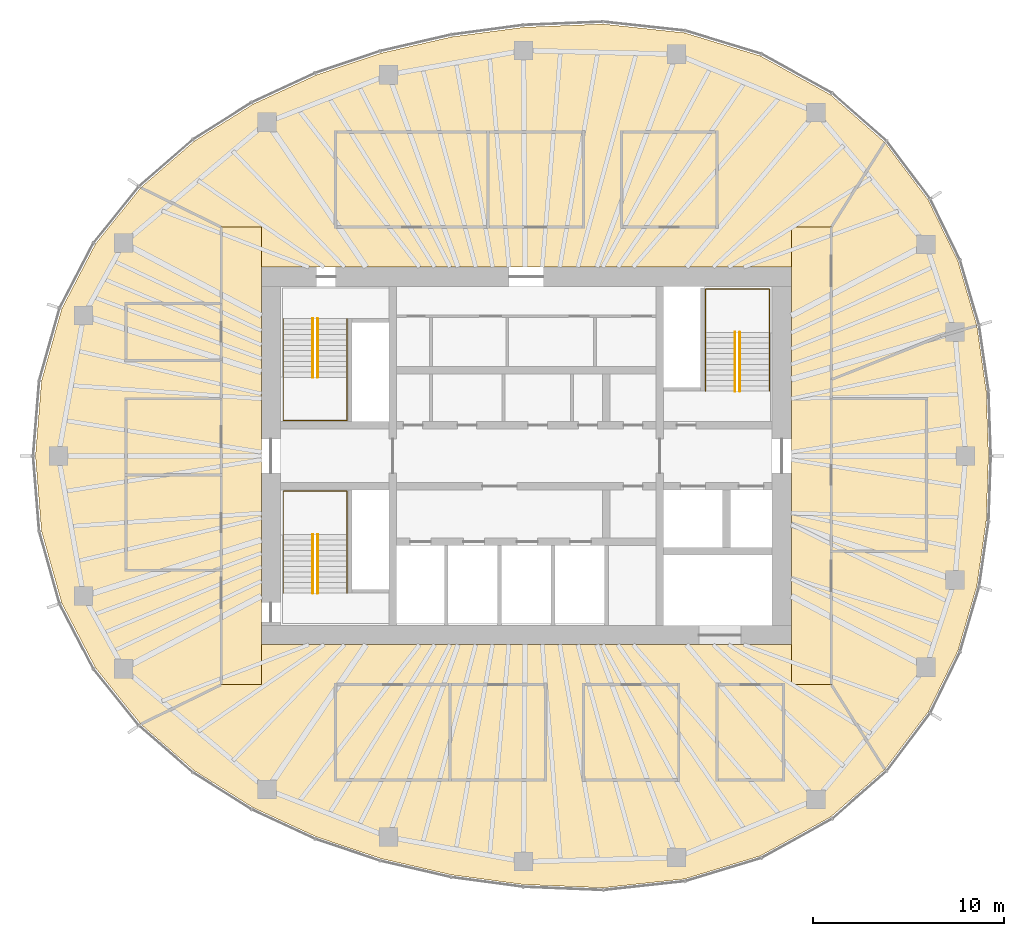
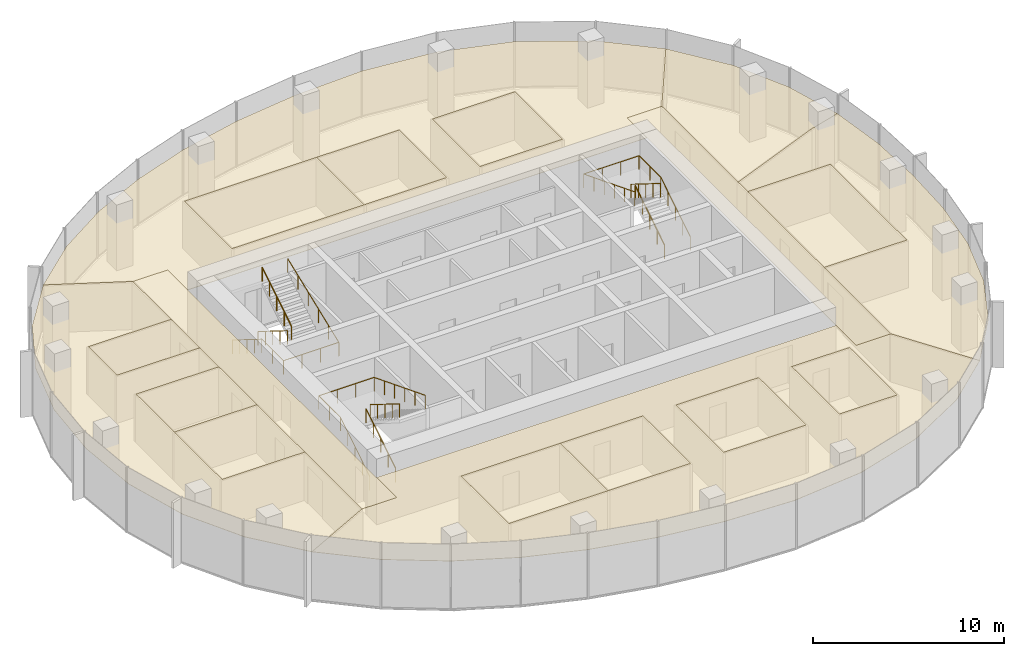
# One storey, part 11 of 11: 18 coverings, 9 railings.
"""IFC4 building model written with IfcOpenShell, lengths in metres."""

from ifc_helpers import new_model, si_unit, direction, frame, origin, origin_2d, place, context, subcontext, project, spatial, polyline, circle, outline, extrude, material, layer, layer_set, type_object, element, save


model = new_model("IFC4")

# Units and contexts
model_context = context("Model", 3, precision=1e-05, world=origin(), true_north=direction((0.0, 1.0)))
body_context = subcontext(model_context, "Body", "Model", "MODEL_VIEW")
ifc_project = project(units=[si_unit("LENGTHUNIT", "METRE"), si_unit("AREAUNIT", "SQUARE_METRE"), si_unit("VOLUMEUNIT", "CUBIC_METRE"), si_unit("PLANEANGLEUNIT", "RADIAN"), si_unit("MASSUNIT", "GRAM", prefix="KILO")], contexts=[model_context])

# Site, building, storey
site_placement = place(None, origin())
site = spatial("IfcSite", under=ifc_project, at=site_placement, CompositionType="ELEMENT")
building_placement = place(site_placement, origin())
building = spatial("IfcBuilding", under=site, at=building_placement, Name="Ghaith Harvest Tower", CompositionType="ELEMENT")
storey_placement = place(building_placement, frame((0.0, 0.0, 325.800048828125)))
storey = spatial("IfcBuildingStorey", under=building, at=storey_placement, Name="L73", CompositionType="ELEMENT", Elevation=325.800048828125)

# Coverings
ifc_material_1 = material(Name="Mineral fibre ceiling tile", Category="gypsum")
ifc_layer = layer(ifc_material_1, 0.02490234375)
ifc_layer_set = layer_set([ifc_layer], Name="CEILING C2")
covering_type = type_object("IfcCoveringType", Name="CEILING C2", PredefinedType="CEILING", material=ifc_layer_set)
covering_1_placement = place(storey_placement, frame((0.0, 0.0, 3.0)))
element("IfcCovering", 1, at=covering_1_placement, inside=storey, type_object=covering_type, Name="Ceiling L73-01", PredefinedType="CEILING", context=body_context, shape_type="SweptSolid", body=[
    extrude(outline(polyline([(-10.0, 12.0), (-2.0, 12.0), (-2.0, 17.0), (-10.0, 17.0), (-10.0, 12.0)])), origin(), (0.0, 0.0, 1.0), 0.02490234375),
])
covering_2_placement = place(storey_placement, frame((0.0, 0.0, 3.0)))
element("IfcCovering", 2, at=covering_2_placement, inside=storey, type_object=covering_type, Name="Ceiling L73-02", PredefinedType="CEILING", context=body_context, shape_type="SweptSolid", body=[
    extrude(outline(polyline([(-2.0, 12.0), (3.0, 12.0), (3.0, 17.0), (-2.0, 17.0), (-2.0, 12.0)])), origin(), (0.0, 0.0, 1.0), 0.02490234375),
])
covering_3_placement = place(storey_placement, frame((0.0, 0.0, 3.0)))
element("IfcCovering", 3, at=covering_3_placement, inside=storey, type_object=covering_type, Name="Ceiling L73-03", PredefinedType="CEILING", context=body_context, shape_type="SweptSolid", body=[
    extrude(outline(polyline([(5.0, 12.0), (10.0, 12.0), (10.0, 17.0), (5.0, 17.0), (5.0, 12.0)])), origin(), (0.0, 0.0, 1.0), 0.02490234375),
])
covering_4_placement = place(storey_placement, frame((0.0, 0.0, 3.0)))
element("IfcCovering", 4, at=covering_4_placement, inside=storey, type_object=covering_type, Name="Ceiling L73-04", PredefinedType="CEILING", context=body_context, shape_type="SweptSolid", body=[
    extrude(outline(polyline([(-10.0, -17.0), (-4.0, -17.0), (-4.0, -12.0), (-10.0, -12.0), (-10.0, -17.0)])), origin(), (0.0, 0.0, 1.0), 0.02490234375),
])
covering_5_placement = place(storey_placement, frame((0.0, 0.0, 3.0)))
element("IfcCovering", 5, at=covering_5_placement, inside=storey, type_object=covering_type, Name="Ceiling L73-05", PredefinedType="CEILING", context=body_context, shape_type="SweptSolid", body=[
    extrude(outline(polyline([(-4.0, -17.0), (1.0, -17.0), (1.0, -12.0), (-4.0, -12.0), (-4.0, -17.0)])), origin(), (0.0, 0.0, 1.0), 0.02490234375),
])
covering_6_placement = place(storey_placement, frame((0.0, 0.0, 3.0)))
element("IfcCovering", 6, at=covering_6_placement, inside=storey, type_object=covering_type, Name="Ceiling L73-06", PredefinedType="CEILING", context=body_context, shape_type="SweptSolid", body=[
    extrude(outline(polyline([(3.0, -17.0), (8.0, -17.0), (8.0, -12.0), (3.0, -12.0), (3.0, -17.0)])), origin(), (0.0, 0.0, 1.0), 0.02490234375),
])
covering_7_placement = place(storey_placement, frame((0.0, 0.0, 3.0)))
element("IfcCovering", 7, at=covering_7_placement, inside=storey, type_object=covering_type, Name="Ceiling L73-07", PredefinedType="CEILING", context=body_context, shape_type="SweptSolid", body=[
    extrude(outline(polyline([(-21.0, -6.0), (-16.0, -6.0), (-16.0, -1.0), (-21.0, -1.0), (-21.0, -6.0)])), origin(), (0.0, 0.0, 1.0), 0.02490234375),
])
covering_8_placement = place(storey_placement, frame((0.0, 0.0, 3.0)))
element("IfcCovering", 8, at=covering_8_placement, inside=storey, type_object=covering_type, Name="Ceiling L73-08", PredefinedType="CEILING", context=body_context, shape_type="SweptSolid", body=[
    extrude(outline(polyline([(-21.0, -1.0), (-16.0, -1.0), (-16.0, 3.0), (-21.0, 3.0), (-21.0, -1.0)])), origin(), (0.0, 0.0, 1.0), 0.02490234375),
])
covering_9_placement = place(storey_placement, frame((0.0, 0.0, 3.0)))
element("IfcCovering", 9, at=covering_9_placement, inside=storey, type_object=covering_type, Name="Ceiling L73-09", PredefinedType="CEILING", context=body_context, shape_type="SweptSolid", body=[
    extrude(outline(polyline([(16.0, -5.0), (21.0, -5.0), (21.0, 3.0), (16.0, 3.0), (16.0, -5.0)])), origin(), (0.0, 0.0, 1.0), 0.02490234375),
])
covering_10_placement = place(storey_placement, frame((0.0, 0.0, 3.0)))
element("IfcCovering", 10, at=covering_10_placement, inside=storey, type_object=covering_type, Name="Ceiling L73-10", PredefinedType="CEILING", context=body_context, shape_type="SweptSolid", body=[
    extrude(outline(polyline([(10.0, -17.0), (13.5, -17.0), (13.5, -12.0), (10.0, -12.0), (10.0, -17.0)])), origin(), (0.0, 0.0, 1.0), 0.02490234375),
])
covering_11_placement = place(storey_placement, frame((0.0, 0.0, 3.0)))
element("IfcCovering", 11, at=covering_11_placement, inside=storey, type_object=covering_type, Name="Ceiling L73-11", PredefinedType="CEILING", context=body_context, shape_type="SweptSolid", body=[
    extrude(outline(polyline([(-21.0, 5.0), (-16.0, 5.0), (-16.0, 8.0), (-21.0, 8.0), (-21.0, 5.0)])), origin(), (0.0, 0.0, 1.0), 0.02490234375),
])
covering_12_placement = place(storey_placement, frame((0.0, 0.0, 3.0)))
element("IfcCovering", 12, at=covering_12_placement, inside=storey, type_object=covering_type, Name="Ceiling L73-C1", PredefinedType="CEILING", context=body_context, shape_type="SweptSolid", body=[
    extrude(outline(polyline([(13.89990234375, -12.0), (13.89990234375, 12.0), (16.0, 12.0), (16.0, -12.0), (13.89990234375, -12.0)])), origin(), (0.0, 0.0, 1.0), 0.02490234375),
])
covering_13_placement = place(storey_placement, frame((0.0, 0.0, 3.0)))
element("IfcCovering", 13, at=covering_13_placement, inside=storey, type_object=covering_type, Name="Ceiling L73-C2", PredefinedType="CEILING", context=body_context, shape_type="SweptSolid", body=[
    extrude(outline(polyline([(-13.89990234375, 12.0), (-13.89990234375, -12.0), (-16.0, -12.0), (-16.0, 12.0), (-13.89990234375, 12.0)])), origin(), (0.0, 0.0, 1.0), 0.02490234375),
])
covering_14_placement = place(storey_placement, frame((0.0, 0.0, 3.0)))
element("IfcCovering", 14, at=covering_14_placement, inside=storey, type_object=covering_type, Name="Ceiling L73-N1", PredefinedType="CEILING", context=body_context, shape_type="SweptSolid", body=[
    extrude(outline(polyline([(-17.40771484375, 16.518310546875), (-14.331298828125, 18.452880859375), (-11.009521484375, 19.98779296875), (-7.6298828125, 21.12548828125), (-3.92529296875, 21.98046875), (-0.15380859375, 22.486083984375), (4.016845703125, 22.658447265625), (8.2978515625, 22.1962890625), (12.273681640625, 20.98828125), (15.971923828125, 18.940185546875), (18.810791015625, 16.4482421875), (16.0, 12.0), (13.89990234375, 12.0), (13.89990234375, 9.89990234375), (-13.89990234375, 9.89990234375), (-13.89990234375, 12.0), (-16.0, 12.0), (-20.225830078125, 14.0732421875), (-17.40771484375, 16.518310546875)]), holes=[polyline([(3.0, 17.0), (-10.0, 17.0), (-10.0, 12.0), (3.0, 12.0), (3.0, 17.0)]), polyline([(5.0, 17.0), (5.0, 12.0), (10.0, 12.0), (10.0, 17.0), (5.0, 17.0)])]), origin(), (0.0, 0.0, 1.0), 0.02490234375),
])
covering_15_placement = place(storey_placement, frame((0.0, 0.0, 3.0)))
element("IfcCovering", 15, at=covering_15_placement, inside=storey, type_object=covering_type, Name="Ceiling L73-E1", PredefinedType="CEILING", context=body_context, shape_type="SweptSolid", body=[
    extrude(outline(polyline([(21.087890625, 13.42041015625), (22.644775390625, 10.222900390625), (23.6376953125, 6.831787109375), (21.71630859375, 6.276611328125), (16.0, 4.0), (16.0, 12.0), (18.810791015625, 16.4482421875), (21.087890625, 13.42041015625)])), origin(), (0.0, 0.0, 1.0), 0.02490234375),
])
covering_16_placement = place(storey_placement, frame((0.0, 0.0, 3.0)))
element("IfcCovering", 16, at=covering_16_placement, inside=storey, type_object=covering_type, Name="Ceiling L73-E2", PredefinedType="CEILING", context=body_context, shape_type="SweptSolid", body=[
    extrude(outline(polyline([(23.6376953125, 6.831787109375), (23.6376953125, 6.831787109375), (24.129150390625, 3.4169921875), (24.25, 0.0), (24.129150390625, -3.4169921875), (23.6376953125, -6.831787109375), (22.644775390625, -10.222900390625), (21.087890625, -13.42041015625), (18.810791015625, -16.4482421875), (16.0, -12.0), (16.0, -5.0), (21.0, -5.0), (21.0, 3.0), (16.0, 3.0), (16.0, 4.0), (21.71630859375, 6.276611328125), (23.6376953125, 6.831787109375)])), origin(), (0.0, 0.0, 1.0), 0.02490234375),
])
covering_17_placement = place(storey_placement, frame((0.0, 0.0, 3.0)))
element("IfcCovering", 17, at=covering_17_placement, inside=storey, type_object=covering_type, Name="Ceiling L73-S1", PredefinedType="CEILING", context=body_context, shape_type="SweptSolid", body=[
    extrude(outline(polyline([(-14.331298828125, -18.452880859375), (-17.40771484375, -16.518310546875), (-20.225830078125, -14.0732421875), (-16.0, -12.0), (-13.89990234375, -12.0), (-13.89990234375, -9.89990234375), (13.89990234375, -9.89990234375), (13.89990234375, -12.0), (16.0, -12.0), (18.810791015625, -16.4482421875), (15.971923828125, -18.940185546875), (12.273681640625, -20.98828125), (8.2978515625, -22.1962890625), (4.016845703125, -22.658447265625), (-0.15380859375, -22.486083984375), (-3.92529296875, -21.98046875), (-7.6298828125, -21.12548828125), (-11.009521484375, -19.98779296875), (-14.331298828125, -18.452880859375)]), holes=[polyline([(-10.0, -17.0), (1.0, -17.0), (1.0, -12.0), (-10.0, -12.0), (-10.0, -17.0)]), polyline([(3.0, -17.0), (8.0, -17.0), (8.0, -12.0), (3.0, -12.0), (3.0, -17.0)]), polyline([(10.0, -17.0), (13.5, -17.0), (13.5, -12.0), (10.0, -12.0), (10.0, -17.0)])]), origin(), (0.0, 0.0, 1.0), 0.02490234375),
])
covering_18_placement = place(storey_placement, frame((0.0, 0.0, 3.0)))
element("IfcCovering", 18, at=covering_18_placement, inside=storey, type_object=covering_type, Name="Ceiling L73-W1", PredefinedType="CEILING", context=body_context, shape_type="SweptSolid", body=[
    extrude(outline(polyline([(-22.5986328125, -11.12353515625), (-24.368408203125, -7.722900390625), (-25.43310546875, -3.93359375), (-25.75, 0.0), (-25.43310546875, 3.93359375), (-24.368408203125, 7.722900390625), (-22.5986328125, 11.12353515625), (-20.225830078125, 14.0732421875), (-16.0, 12.0), (-16.0, 8.0), (-21.0, 8.0), (-21.0, 5.0), (-16.0, 5.0), (-16.0, 3.0), (-21.0, 3.0), (-21.0, -6.0), (-16.0, -6.0), (-16.0, -12.0), (-20.225830078125, -14.0732421875), (-22.5986328125, -11.12353515625)])), origin(), (0.0, 0.0, 1.0), 0.02490234375),
])

# Railings
ifc_material_2 = material(Name="Steel, black powder-coated", Category="steel")
railing_type = type_object("IfcRailingType", Name="HANDRAIL HR1", PredefinedType="HANDRAIL", material=ifc_material_2)
railing_1_placement = place(storey_placement, frame((-11.199951171875, 7.199951171875, 0.175048828125)))
element("IfcRailing", 19, at=railing_1_placement, inside=storey, type_object=railing_type, Name="Handrail HR1 stair ST1 L73 flight 1 inner", PredefinedType="HANDRAIL", context=body_context, shape_type="SweptSolid", body=[
    extrude(circle(Radius=0.02392578125, at=origin_2d()), frame((0.0, 0.0, 0.8759765625), z_axis=(0.0, -0.848009633417, 0.529980812513), x_axis=(1.0, 0.0, 0.0)), (0.0, 0.0, 1.0), 3.6318359375),
    extrude(circle(Radius=0.02099609375, at=origin_2d()), origin(), (0.0, 0.0, 1.0), 0.851806640625),
    extrude(circle(Radius=0.02099609375, at=origin_2d()), frame((0.0, -0.77001953125, 0.481201171875)), (0.0, 0.0, 1.0), 0.851806640625),
    extrude(circle(Radius=0.02099609375, at=origin_2d()), frame((0.0, -1.5400390625, 0.96240234375)), (0.0, 0.0, 1.0), 0.851806640625),
    extrude(circle(Radius=0.02099609375, at=origin_2d()), frame((0.0, -2.309814453125, 1.443603515625)), (0.0, 0.0, 1.0), 0.851806640625),
    extrude(circle(Radius=0.02099609375, at=origin_2d()), frame((0.0, -3.079833984375, 1.9248046875)), (0.0, 0.0, 1.0), 0.851806640625),
])
railing_2_placement = place(storey_placement, frame((-10.949951171875, 4.1201171875, 2.27490234375)))
element("IfcRailing", 20, at=railing_2_placement, inside=storey, type_object=railing_type, Name="Handrail HR1 stair ST1 L73 flight 2 inner", PredefinedType="HANDRAIL", context=body_context, shape_type="SweptSolid", body=[
    extrude(circle(Radius=0.02392578125, at=origin_2d()), frame((0.0, 0.0, 0.8759765625), z_axis=(0.0, 0.847979421464, 0.530029150871), x_axis=(-1.0, 0.0, 0.0)), (0.0, 0.0, 1.0), 3.632080078125),
    extrude(circle(Radius=0.02099609375, at=origin_2d()), origin(), (0.0, 0.0, 1.0), 0.851806640625),
    extrude(circle(Radius=0.02099609375, at=origin_2d()), frame((0.0, 0.77001953125, 0.481201171875)), (0.0, 0.0, 1.0), 0.851806640625),
    extrude(circle(Radius=0.02099609375, at=origin_2d()), frame((0.0, 1.5400390625, 0.96240234375)), (0.0, 0.0, 1.0), 0.851806640625),
    extrude(circle(Radius=0.02099609375, at=origin_2d()), frame((0.0, 2.309814453125, 1.44384765625)), (0.0, 0.0, 1.0), 0.851806640625),
    extrude(circle(Radius=0.02099609375, at=origin_2d()), frame((0.0, 3.079833984375, 1.925048828125)), (0.0, 0.0, 1.0), 0.851806640625),
])
railing_3_placement = place(storey_placement, frame((-12.75, 7.199951171875, 0.175048828125)))
element("IfcRailing", 21, at=railing_3_placement, inside=storey, type_object=railing_type, Name="Handrail HR1 stair ST1 L73 wall side", PredefinedType="HANDRAIL", context=body_context, shape_type="SweptSolid", body=[
    extrude(circle(Radius=0.02392578125, at=origin_2d()), frame((0.0, 0.0, 0.8759765625), z_axis=(0.0, -0.848009633417, 0.529980812513), x_axis=(1.0, 0.0, 0.0)), (0.0, 0.0, 1.0), 3.6318359375),
    extrude(circle(Radius=0.02392578125, at=origin_2d()), frame((0.0, -3.079833984375, 2.80078125), z_axis=(0.0, -1.0, 0.0), x_axis=(1.0, 0.0, 0.0)), (0.0, 0.0, 1.0), 2.27001953125),
    extrude(circle(Radius=0.02392578125, at=origin_2d()), frame((0.0, -5.349853515625, 2.80078125), z_axis=(1.0, 0.0, 0.0), x_axis=(0.0, 1.0, 0.0)), (0.0, 0.0, 1.0), 3.35009765625),
    extrude(circle(Radius=0.02392578125, at=origin_2d()), frame((3.35009765625, -5.349853515625, 2.80078125), z_axis=(0.0, 0.930848013298, 0.36540659017), x_axis=(-1.0, 0.0, 0.0)), (0.0, 0.0, 1.0), 5.747314453125),
    extrude(circle(Radius=0.02099609375, at=origin_2d()), origin(), (0.0, 0.0, 1.0), 0.851806640625),
    extrude(circle(Radius=0.02099609375, at=origin_2d()), frame((0.0, -0.77001953125, 0.481201171875)), (0.0, 0.0, 1.0), 0.851806640625),
    extrude(circle(Radius=0.02099609375, at=origin_2d()), frame((0.0, -1.5400390625, 0.96240234375)), (0.0, 0.0, 1.0), 0.851806640625),
    extrude(circle(Radius=0.02099609375, at=origin_2d()), frame((0.0, -2.309814453125, 1.443603515625)), (0.0, 0.0, 1.0), 0.851806640625),
    extrude(circle(Radius=0.02099609375, at=origin_2d()), frame((0.0, -3.079833984375, 1.9248046875)), (0.0, 0.0, 1.0), 0.851806640625),
    extrude(circle(Radius=0.02099609375, at=origin_2d()), frame((0.0, -4.21484375, 1.9248046875)), (0.0, 0.0, 1.0), 0.851806640625),
    extrude(circle(Radius=0.02099609375, at=origin_2d()), frame((0.0, -5.349853515625, 1.9248046875)), (0.0, 0.0, 1.0), 0.851806640625),
    extrude(circle(Radius=0.02099609375, at=origin_2d()), frame((1.11669921875, -5.349853515625, 1.9248046875)), (0.0, 0.0, 1.0), 0.851806640625),
    extrude(circle(Radius=0.02099609375, at=origin_2d()), frame((2.2333984375, -5.349853515625, 1.9248046875)), (0.0, 0.0, 1.0), 0.851806640625),
    extrude(circle(Radius=0.02099609375, at=origin_2d()), frame((3.35009765625, -5.349853515625, 1.9248046875)), (0.0, 0.0, 1.0), 0.851806640625),
    extrude(circle(Radius=0.02099609375, at=origin_2d()), frame((3.35009765625, -4.27978515625, 2.3447265625)), (0.0, 0.0, 1.0), 0.851806640625),
    extrude(circle(Radius=0.02099609375, at=origin_2d()), frame((3.35009765625, -3.2099609375, 2.764892578125)), (0.0, 0.0, 1.0), 0.851806640625),
    extrude(circle(Radius=0.02099609375, at=origin_2d()), frame((3.35009765625, -2.139892578125, 3.184814453125)), (0.0, 0.0, 1.0), 0.851806640625),
    extrude(circle(Radius=0.02099609375, at=origin_2d()), frame((3.35009765625, -1.070068359375, 3.60498046875)), (0.0, 0.0, 1.0), 0.851806640625),
    extrude(circle(Radius=0.02099609375, at=origin_2d()), frame((3.35009765625, 0.0, 4.02490234375)), (0.0, 0.0, 1.0), 0.851806640625),
])
railing_4_placement = place(storey_placement, frame((-11.199951171875, -7.199951171875, 0.175048828125)))
element("IfcRailing", 22, at=railing_4_placement, inside=storey, type_object=railing_type, Name="Handrail HR1 stair ST3 L73 flight 1 inner", PredefinedType="HANDRAIL", context=body_context, shape_type="SweptSolid", body=[
    extrude(circle(Radius=0.02392578125, at=origin_2d()), frame((0.0, 0.0, 0.8759765625), z_axis=(0.0, 0.848009633417, 0.529980812513), x_axis=(-1.0, 0.0, 0.0)), (0.0, 0.0, 1.0), 3.6318359375),
    extrude(circle(Radius=0.02099609375, at=origin_2d()), origin(), (0.0, 0.0, 1.0), 0.851806640625),
    extrude(circle(Radius=0.02099609375, at=origin_2d()), frame((0.0, 0.77001953125, 0.481201171875)), (0.0, 0.0, 1.0), 0.851806640625),
    extrude(circle(Radius=0.02099609375, at=origin_2d()), frame((0.0, 1.5400390625, 0.96240234375)), (0.0, 0.0, 1.0), 0.851806640625),
    extrude(circle(Radius=0.02099609375, at=origin_2d()), frame((0.0, 2.309814453125, 1.443603515625)), (0.0, 0.0, 1.0), 0.851806640625),
    extrude(circle(Radius=0.02099609375, at=origin_2d()), frame((0.0, 3.079833984375, 1.9248046875)), (0.0, 0.0, 1.0), 0.851806640625),
])
railing_5_placement = place(storey_placement, frame((-10.949951171875, -4.1201171875, 2.27490234375)))
element("IfcRailing", 23, at=railing_5_placement, inside=storey, type_object=railing_type, Name="Handrail HR1 stair ST3 L73 flight 2 inner", PredefinedType="HANDRAIL", context=body_context, shape_type="SweptSolid", body=[
    extrude(circle(Radius=0.02392578125, at=origin_2d()), frame((0.0, 0.0, 0.8759765625), z_axis=(0.0, -0.847979421464, 0.530029150871), x_axis=(1.0, 0.0, 0.0)), (0.0, 0.0, 1.0), 3.632080078125),
    extrude(circle(Radius=0.02099609375, at=origin_2d()), origin(), (0.0, 0.0, 1.0), 0.851806640625),
    extrude(circle(Radius=0.02099609375, at=origin_2d()), frame((0.0, -0.77001953125, 0.481201171875)), (0.0, 0.0, 1.0), 0.851806640625),
    extrude(circle(Radius=0.02099609375, at=origin_2d()), frame((0.0, -1.5400390625, 0.96240234375)), (0.0, 0.0, 1.0), 0.851806640625),
    extrude(circle(Radius=0.02099609375, at=origin_2d()), frame((0.0, -2.309814453125, 1.44384765625)), (0.0, 0.0, 1.0), 0.851806640625),
    extrude(circle(Radius=0.02099609375, at=origin_2d()), frame((0.0, -3.079833984375, 1.925048828125)), (0.0, 0.0, 1.0), 0.851806640625),
])
railing_6_placement = place(storey_placement, frame((-12.75, -7.199951171875, 0.175048828125)))
element("IfcRailing", 24, at=railing_6_placement, inside=storey, type_object=railing_type, Name="Handrail HR1 stair ST3 L73 wall side", PredefinedType="HANDRAIL", context=body_context, shape_type="SweptSolid", body=[
    extrude(circle(Radius=0.02392578125, at=origin_2d()), frame((0.0, 0.0, 0.8759765625), z_axis=(0.0, 0.848009633417, 0.529980812513), x_axis=(-1.0, 0.0, 0.0)), (0.0, 0.0, 1.0), 3.6318359375),
    extrude(circle(Radius=0.02392578125, at=origin_2d()), frame((0.0, 3.079833984375, 2.80078125), z_axis=(0.0, 1.0, 0.0), x_axis=(-1.0, 0.0, 0.0)), (0.0, 0.0, 1.0), 2.27001953125),
    extrude(circle(Radius=0.02392578125, at=origin_2d()), frame((0.0, 5.349853515625, 2.80078125), z_axis=(1.0, 0.0, 0.0), x_axis=(0.0, 1.0, 0.0)), (0.0, 0.0, 1.0), 3.35009765625),
    extrude(circle(Radius=0.02392578125, at=origin_2d()), frame((3.35009765625, 5.349853515625, 2.80078125), z_axis=(0.0, -0.930848013298, 0.36540659017), x_axis=(1.0, 0.0, 0.0)), (0.0, 0.0, 1.0), 5.747314453125),
    extrude(circle(Radius=0.02099609375, at=origin_2d()), origin(), (0.0, 0.0, 1.0), 0.851806640625),
    extrude(circle(Radius=0.02099609375, at=origin_2d()), frame((0.0, 0.77001953125, 0.481201171875)), (0.0, 0.0, 1.0), 0.851806640625),
    extrude(circle(Radius=0.02099609375, at=origin_2d()), frame((0.0, 1.5400390625, 0.96240234375)), (0.0, 0.0, 1.0), 0.851806640625),
    extrude(circle(Radius=0.02099609375, at=origin_2d()), frame((0.0, 2.309814453125, 1.443603515625)), (0.0, 0.0, 1.0), 0.851806640625),
    extrude(circle(Radius=0.02099609375, at=origin_2d()), frame((0.0, 3.079833984375, 1.9248046875)), (0.0, 0.0, 1.0), 0.851806640625),
    extrude(circle(Radius=0.02099609375, at=origin_2d()), frame((0.0, 4.21484375, 1.9248046875)), (0.0, 0.0, 1.0), 0.851806640625),
    extrude(circle(Radius=0.02099609375, at=origin_2d()), frame((0.0, 5.349853515625, 1.9248046875)), (0.0, 0.0, 1.0), 0.851806640625),
    extrude(circle(Radius=0.02099609375, at=origin_2d()), frame((1.11669921875, 5.349853515625, 1.9248046875)), (0.0, 0.0, 1.0), 0.851806640625),
    extrude(circle(Radius=0.02099609375, at=origin_2d()), frame((2.2333984375, 5.349853515625, 1.9248046875)), (0.0, 0.0, 1.0), 0.851806640625),
    extrude(circle(Radius=0.02099609375, at=origin_2d()), frame((3.35009765625, 5.349853515625, 1.9248046875)), (0.0, 0.0, 1.0), 0.851806640625),
    extrude(circle(Radius=0.02099609375, at=origin_2d()), frame((3.35009765625, 4.27978515625, 2.3447265625)), (0.0, 0.0, 1.0), 0.851806640625),
    extrude(circle(Radius=0.02099609375, at=origin_2d()), frame((3.35009765625, 3.2099609375, 2.764892578125)), (0.0, 0.0, 1.0), 0.851806640625),
    extrude(circle(Radius=0.02099609375, at=origin_2d()), frame((3.35009765625, 2.139892578125, 3.184814453125)), (0.0, 0.0, 1.0), 0.851806640625),
    extrude(circle(Radius=0.02099609375, at=origin_2d()), frame((3.35009765625, 1.070068359375, 3.60498046875)), (0.0, 0.0, 1.0), 0.851806640625),
    extrude(circle(Radius=0.02099609375, at=origin_2d()), frame((3.35009765625, 0.0, 4.02490234375)), (0.0, 0.0, 1.0), 0.851806640625),
])
railing_7_placement = place(storey_placement, frame((11.199951171875, 3.39990234375, 0.175048828125)))
element("IfcRailing", 25, at=railing_7_placement, inside=storey, type_object=railing_type, Name="Handrail HR1 stair ST2 L73 flight 1 inner", PredefinedType="HANDRAIL", context=body_context, shape_type="SweptSolid", body=[
    extrude(circle(Radius=0.02392578125, at=origin_2d()), frame((0.0, 0.0, 0.8759765625), z_axis=(0.0, 0.848028513186, 0.529950602248), x_axis=(-1.0, 0.0, 0.0)), (0.0, 0.0, 1.0), 3.632080078125),
    extrude(circle(Radius=0.02099609375, at=origin_2d()), origin(), (0.0, 0.0, 1.0), 0.851806640625),
    extrude(circle(Radius=0.02099609375, at=origin_2d()), frame((0.0, 0.77001953125, 0.481201171875)), (0.0, 0.0, 1.0), 0.851806640625),
    extrude(circle(Radius=0.02099609375, at=origin_2d()), frame((0.0, 1.5400390625, 0.96240234375)), (0.0, 0.0, 1.0), 0.851806640625),
    extrude(circle(Radius=0.02099609375, at=origin_2d()), frame((0.0, 2.31005859375, 1.443603515625)), (0.0, 0.0, 1.0), 0.851806640625),
    extrude(circle(Radius=0.02099609375, at=origin_2d()), frame((0.0, 3.080078125, 1.9248046875)), (0.0, 0.0, 1.0), 0.851806640625),
])
railing_8_placement = place(storey_placement, frame((10.949951171875, 6.47998046875, 2.27490234375)))
element("IfcRailing", 26, at=railing_8_placement, inside=storey, type_object=railing_type, Name="Handrail HR1 stair ST2 L73 flight 2 inner", PredefinedType="HANDRAIL", context=body_context, shape_type="SweptSolid", body=[
    extrude(circle(Radius=0.02392578125, at=origin_2d()), frame((0.0, 0.0, 0.8759765625), z_axis=(0.0, -0.847998304005, 0.529998940003), x_axis=(1.0, 0.0, 0.0)), (0.0, 0.0, 1.0), 3.632080078125),
    extrude(circle(Radius=0.02099609375, at=origin_2d()), origin(), (0.0, 0.0, 1.0), 0.851806640625),
    extrude(circle(Radius=0.02099609375, at=origin_2d()), frame((0.0, -0.77001953125, 0.481201171875)), (0.0, 0.0, 1.0), 0.851806640625),
    extrude(circle(Radius=0.02099609375, at=origin_2d()), frame((0.0, -1.5400390625, 0.96240234375)), (0.0, 0.0, 1.0), 0.851806640625),
    extrude(circle(Radius=0.02099609375, at=origin_2d()), frame((0.0, -2.31005859375, 1.44384765625)), (0.0, 0.0, 1.0), 0.851806640625),
    extrude(circle(Radius=0.02099609375, at=origin_2d()), frame((0.0, -3.080078125, 1.925048828125)), (0.0, 0.0, 1.0), 0.851806640625),
])
railing_9_placement = place(storey_placement, frame((12.75, 3.39990234375, 0.175048828125)))
element("IfcRailing", 27, at=railing_9_placement, inside=storey, type_object=railing_type, Name="Handrail HR1 stair ST2 L73 wall side", PredefinedType="HANDRAIL", context=body_context, shape_type="SweptSolid", body=[
    extrude(circle(Radius=0.02392578125, at=origin_2d()), frame((0.0, 0.0, 0.8759765625), z_axis=(0.0, 0.848028513186, 0.529950602248), x_axis=(-1.0, 0.0, 0.0)), (0.0, 0.0, 1.0), 3.632080078125),
    extrude(circle(Radius=0.02392578125, at=origin_2d()), frame((0.0, 3.080078125, 2.80078125), z_axis=(0.0, 1.0, 0.0), x_axis=(-1.0, 0.0, 0.0)), (0.0, 0.0, 1.0), 2.27001953125),
    extrude(circle(Radius=0.02392578125, at=origin_2d()), frame((0.0, 5.35009765625, 2.80078125), z_axis=(-1.0, 0.0, 0.0), x_axis=(0.0, -1.0, 0.0)), (0.0, 0.0, 1.0), 3.35009765625),
    extrude(circle(Radius=0.02392578125, at=origin_2d()), frame((-3.35009765625, 5.35009765625, 2.80078125), z_axis=(0.0, -0.930853684876, 0.365392141887), x_axis=(1.0, 0.0, 0.0)), (0.0, 0.0, 1.0), 5.74755859375),
    extrude(circle(Radius=0.02099609375, at=origin_2d()), origin(), (0.0, 0.0, 1.0), 0.851806640625),
    extrude(circle(Radius=0.02099609375, at=origin_2d()), frame((0.0, 0.77001953125, 0.481201171875)), (0.0, 0.0, 1.0), 0.851806640625),
    extrude(circle(Radius=0.02099609375, at=origin_2d()), frame((0.0, 1.5400390625, 0.96240234375)), (0.0, 0.0, 1.0), 0.851806640625),
    extrude(circle(Radius=0.02099609375, at=origin_2d()), frame((0.0, 2.31005859375, 1.443603515625)), (0.0, 0.0, 1.0), 0.851806640625),
    extrude(circle(Radius=0.02099609375, at=origin_2d()), frame((0.0, 3.080078125, 1.9248046875)), (0.0, 0.0, 1.0), 0.851806640625),
    extrude(circle(Radius=0.02099609375, at=origin_2d()), frame((0.0, 4.215087890625, 1.9248046875)), (0.0, 0.0, 1.0), 0.851806640625),
    extrude(circle(Radius=0.02099609375, at=origin_2d()), frame((0.0, 5.35009765625, 1.9248046875)), (0.0, 0.0, 1.0), 0.851806640625),
    extrude(circle(Radius=0.02099609375, at=origin_2d()), frame((-1.11669921875, 5.35009765625, 1.9248046875)), (0.0, 0.0, 1.0), 0.851806640625),
    extrude(circle(Radius=0.02099609375, at=origin_2d()), frame((-2.2333984375, 5.35009765625, 1.9248046875)), (0.0, 0.0, 1.0), 0.851806640625),
    extrude(circle(Radius=0.02099609375, at=origin_2d()), frame((-3.35009765625, 5.35009765625, 1.9248046875)), (0.0, 0.0, 1.0), 0.851806640625),
    extrude(circle(Radius=0.02099609375, at=origin_2d()), frame((-3.35009765625, 4.280029296875, 2.3447265625)), (0.0, 0.0, 1.0), 0.851806640625),
    extrude(circle(Radius=0.02099609375, at=origin_2d()), frame((-3.35009765625, 3.2099609375, 2.764892578125)), (0.0, 0.0, 1.0), 0.851806640625),
    extrude(circle(Radius=0.02099609375, at=origin_2d()), frame((-3.35009765625, 2.14013671875, 3.184814453125)), (0.0, 0.0, 1.0), 0.851806640625),
    extrude(circle(Radius=0.02099609375, at=origin_2d()), frame((-3.35009765625, 1.070068359375, 3.60498046875)), (0.0, 0.0, 1.0), 0.851806640625),
    extrude(circle(Radius=0.02099609375, at=origin_2d()), frame((-3.35009765625, 0.0, 4.02490234375)), (0.0, 0.0, 1.0), 0.851806640625),
])

save(model, "model.ifc")
